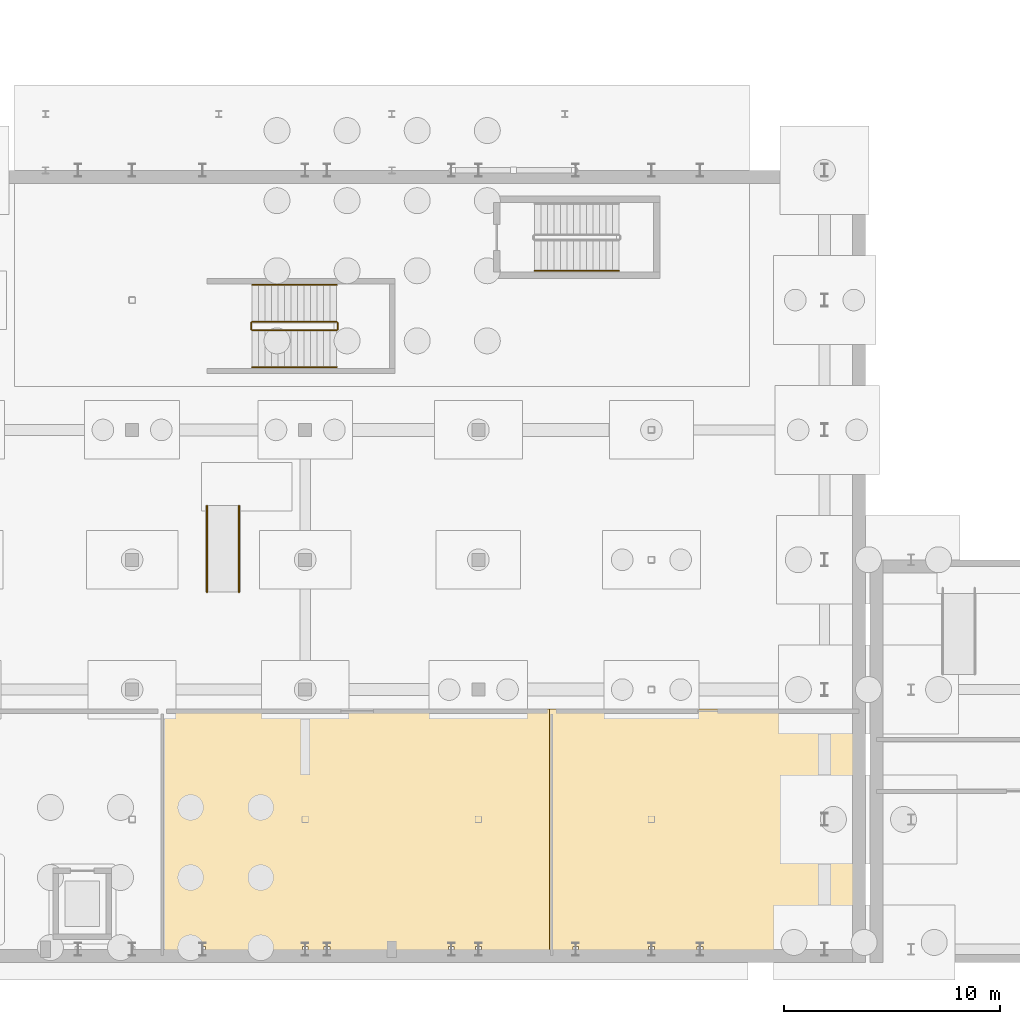
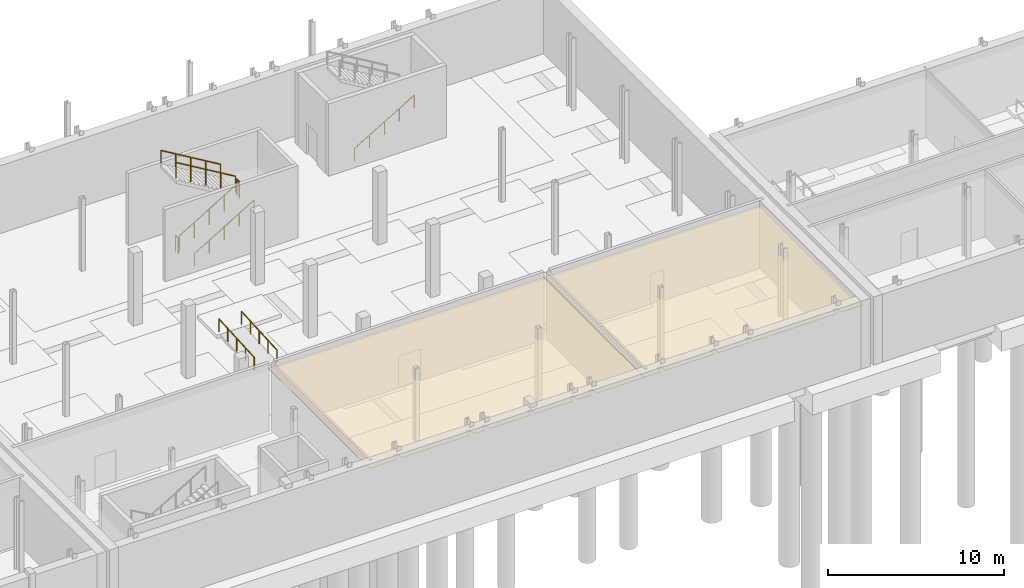
# One storey, part 38 of 47: 9 railings, 2 coverings.
"""IFC4 building model written with IfcOpenShell, lengths in metres."""

from ifc_helpers import new_model, si_unit, direction, frame, origin, origin_2d, place, context, subcontext, project, spatial, polyline, circle, outline, extrude, material, layer, layer_set, type_object, element, save


model = new_model("IFC4")

# Units and contexts
model_context = context("Model", 3, precision=1e-05, world=origin(), true_north=direction((0.0, 1.0)))
body_context = subcontext(model_context, "Body", "Model", "MODEL_VIEW")
ifc_project = project(units=[si_unit("LENGTHUNIT", "METRE"), si_unit("AREAUNIT", "SQUARE_METRE"), si_unit("VOLUMEUNIT", "CUBIC_METRE"), si_unit("PLANEANGLEUNIT", "RADIAN"), si_unit("MASSUNIT", "GRAM", prefix="KILO")], contexts=[model_context])

# Site, building, storey
site_placement = place(None, origin())
site = spatial("IfcSite", under=ifc_project, at=site_placement, CompositionType="ELEMENT")
building_placement = place(site_placement, origin())
building = spatial("IfcBuilding", under=site, at=building_placement, Name="Cymarion Research Institute", CompositionType="ELEMENT")
storey_placement = place(building_placement, frame((0.0, 0.0, -5.0)))
storey = spatial("IfcBuildingStorey", under=building, at=storey_placement, Name="B1", CompositionType="ELEMENT", Elevation=-5.0)

# Coverings
ifc_material_1 = material(Name="Micro-perforated mineral acoustic ceiling tile", Category="gypsum")
ifc_layer = layer(ifc_material_1, 0.030029296875)
ifc_layer_set = layer_set([ifc_layer], Name="Micro-perforated mineral acoustic ceiling tile")
covering_type = type_object("IfcCoveringType", Name="ACOUSTIC MICRO-PERFORATED SUSPENDED CEILING CLG-01", PredefinedType="CEILING", material=ifc_layer_set)
covering_1_placement = place(storey_placement, frame((0.0, 0.0, 4.14990234375)))
element("IfcCovering", 1, at=covering_1_placement, inside=storey, type_object=covering_type, Name="B1 B1 Geological Core & Specimen Cold Archive acoustic ceiling", PredefinedType="CEILING", context=body_context, shape_type="SweptSolid", body=[
    extrude(outline(polyline([(90.114990234375, 5.18505859375), (86.735107421875, 5.18505859375), (86.735107421875, 5.635009765625), (86.465087890625, 5.635009765625), (86.465087890625, 5.18505859375), (85.485107421875, 5.18505859375), (85.485107421875, 5.635009765625), (85.215087890625, 5.635009765625), (85.215087890625, 5.18505859375), (82.735107421875, 5.18505859375), (82.735107421875, 5.635009765625), (82.465087890625, 5.635009765625), (82.465087890625, 5.18505859375), (79.735107421875, 5.18505859375), (79.735107421875, 5.635009765625), (79.465087890625, 5.635009765625), (79.465087890625, 5.18505859375), (78.735107421875, 5.18505859375), (78.735107421875, 5.635009765625), (78.465087890625, 5.635009765625), (78.465087890625, 5.18505859375), (73.985107421875, 5.18505859375), (73.985107421875, 5.635009765625), (73.715087890625, 5.635009765625), (73.715087890625, 5.18505859375), (71.885009765625, 5.18505859375), (71.885009765625, 16.614990234375), (90.114990234375, 16.614990234375), (90.114990234375, 5.18505859375)])), origin(), (0.0, 0.0, 1.0), 0.030029296875),
])
covering_2_placement = place(storey_placement, frame((0.0, 0.0, 4.14990234375)))
element("IfcCovering", 2, at=covering_2_placement, inside=storey, type_object=covering_type, Name="B1 B1 Concourse Accessible WC and Public Washrooms acoustic ceiling", PredefinedType="CEILING", context=body_context, shape_type="SweptSolid", body=[
    extrude(outline(polyline([(102.735107421875, 5.635009765625), (102.465087890625, 5.635009765625), (102.465087890625, 5.18505859375), (96.985107421875, 5.18505859375), (96.985107421875, 5.635009765625), (96.715087890625, 5.635009765625), (96.715087890625, 5.18505859375), (94.735107421875, 5.18505859375), (94.735107421875, 5.635009765625), (94.465087890625, 5.635009765625), (94.465087890625, 5.18505859375), (91.235107421875, 5.18505859375), (91.235107421875, 5.635009765625), (90.965087890625, 5.635009765625), (90.965087890625, 5.18505859375), (89.885009765625, 5.18505859375), (89.885009765625, 16.614990234375), (104.215087890625, 16.614990234375), (104.215087890625, 5.18505859375), (102.735107421875, 5.18505859375), (102.735107421875, 5.635009765625)])), origin(), (0.0, 0.0, 1.0), 0.030029296875),
])

# Railings
ifc_material_2 = material(Name="Steel S355", Category="steel")
railing_type_1 = type_object("IfcRailingType", Name="PAINTED STEEL STAIR GUARDRAIL GR1 1100MM", PredefinedType="GUARDRAIL", material=ifc_material_2)
railing_1_placement = place(storey_placement, frame((76.14990234375, 34.10009765625, 0.178466796875)))
element("IfcRailing", 3, at=railing_1_placement, inside=storey, type_object=railing_type_1, Name="B1 ST11 stair guard 1", PredefinedType="GUARDRAIL", context=body_context, shape_type="SweptSolid", body=[
    extrude(circle(Radius=0.02392578125, at=origin_2d()), frame((0.0, 0.0, 1.076171875), z_axis=(0.859291195736, 0.0, 0.511486696729), x_axis=(0.0, 1.0, 0.0)), (0.0, 0.0, 1.0), 4.538818359375),
    extrude(circle(Radius=0.02099609375, at=origin_2d()), origin(), (0.0, 0.0, 1.0), 1.052001953125),
    extrude(circle(Radius=0.02099609375, at=origin_2d()), frame((0.97509765625, 0.0, 0.580322265625)), (0.0, 0.0, 1.0), 1.052001953125),
    extrude(circle(Radius=0.02099609375, at=origin_2d()), frame((1.9501953125, 0.0, 1.16064453125)), (0.0, 0.0, 1.0), 1.052001953125),
    extrude(circle(Radius=0.02099609375, at=origin_2d()), frame((2.925048828125, 0.0, 1.7412109375)), (0.0, 0.0, 1.0), 1.052001953125),
    extrude(circle(Radius=0.02099609375, at=origin_2d()), frame((3.900146484375, 0.0, 2.321533203125)), (0.0, 0.0, 1.0), 1.052001953125),
])
railing_2_placement = place(storey_placement, frame((80.10009765625, 34.14990234375, 2.5)))
element("IfcRailing", 4, at=railing_2_placement, inside=storey, type_object=railing_type_1, Name="B1 ST11 stair guard 2", PredefinedType="GUARDRAIL", context=body_context, shape_type="SweptSolid", body=[
    extrude(circle(Radius=0.02392578125, at=origin_2d()), frame((0.0, 0.0, 1.076171875), z_axis=(0.0, 1.0, 0.0), x_axis=(-1.0, 0.0, 0.0)), (0.0, 0.0, 1.0), 0.300048828125),
    extrude(circle(Radius=0.02099609375, at=origin_2d()), origin(), (0.0, 0.0, 1.0), 1.052001953125),
    extrude(circle(Radius=0.02099609375, at=origin_2d()), frame((0.0, 0.300048828125, 0.0)), (0.0, 0.0, 1.0), 1.052001953125),
])
railing_3_placement = place(storey_placement, frame((80.050048828125, 34.5, 2.678466796875)))
element("IfcRailing", 5, at=railing_3_placement, inside=storey, type_object=railing_type_1, Name="B1 ST11 stair guard 3", PredefinedType="GUARDRAIL", context=body_context, shape_type="SweptSolid", body=[
    extrude(circle(Radius=0.02392578125, at=origin_2d()), frame((0.0, 0.0, 1.076171875), z_axis=(-0.859291195736, 0.0, 0.511486696729), x_axis=(0.0, -1.0, 0.0)), (0.0, 0.0, 1.0), 4.538818359375),
    extrude(circle(Radius=0.02099609375, at=origin_2d()), origin(), (0.0, 0.0, 1.0), 1.052001953125),
    extrude(circle(Radius=0.02099609375, at=origin_2d()), frame((-0.97509765625, 0.0, 0.580322265625)), (0.0, 0.0, 1.0), 1.052001953125),
    extrude(circle(Radius=0.02099609375, at=origin_2d()), frame((-1.9501953125, 0.0, 1.16064453125)), (0.0, 0.0, 1.0), 1.052001953125),
    extrude(circle(Radius=0.02099609375, at=origin_2d()), frame((-2.925048828125, 0.0, 1.7412109375)), (0.0, 0.0, 1.0), 1.052001953125),
    extrude(circle(Radius=0.02099609375, at=origin_2d()), frame((-3.900146484375, 0.0, 2.321533203125)), (0.0, 0.0, 1.0), 1.052001953125),
])
railing_4_placement = place(storey_placement, frame((76.10009765625, 34.14990234375, 0.0)))
element("IfcRailing", 6, at=railing_4_placement, inside=storey, type_object=railing_type_1, Name="B1 ST11 stair guard 4", PredefinedType="GUARDRAIL", context=body_context, shape_type="SweptSolid", body=[
    extrude(circle(Radius=0.02392578125, at=origin_2d()), frame((0.0, 0.0, 1.076171875), z_axis=(0.0, 1.0, 0.0), x_axis=(-1.0, 0.0, 0.0)), (0.0, 0.0, 1.0), 0.300048828125),
    extrude(circle(Radius=0.02099609375, at=origin_2d()), origin(), (0.0, 0.0, 1.0), 1.052001953125),
    extrude(circle(Radius=0.02099609375, at=origin_2d()), frame((0.0, 0.300048828125, 0.0)), (0.0, 0.0, 1.0), 1.052001953125),
])
railing_type_2 = type_object("IfcRailingType", Name="STAINLESS STEEL RAMP HANDRAIL HR-RMP", PredefinedType="HANDRAIL", material=ifc_material_2)
for number, where, name in (
    (7, (74.06005859375, 22.0, 0.02001953125), "Ramp R3 stainless handrail 1"),
    (8, (75.5400390625, 22.0, 0.02001953125), "Ramp R3 stainless handrail 2"),
):
    element("IfcRailing", number, at=place(storey_placement, frame(where)), inside=storey, type_object=railing_type_2, Name=name, PredefinedType="HANDRAIL", context=body_context, shape_type="SweptSolid", body=[
        extrude(circle(Radius=0.02392578125, at=origin_2d()), frame((0.0, 0.0, 0.8759765625), z_axis=(0.0, 0.998351242335, 0.057400321672), x_axis=(-1.0, 0.0, 0.0)), (0.0, 0.0, 1.0), 4.006591796875),
        extrude(circle(Radius=0.02099609375, at=origin_2d()), origin(), (0.0, 0.0, 1.0), 0.851806640625),
        extrude(circle(Radius=0.02099609375, at=origin_2d()), frame((0.0, 1.0, 0.0576171875)), (0.0, 0.0, 1.0), 0.851806640625),
        extrude(circle(Radius=0.02099609375, at=origin_2d()), frame((0.0, 2.0, 0.114990234375)), (0.0, 0.0, 1.0), 0.851806640625),
        extrude(circle(Radius=0.02099609375, at=origin_2d()), frame((0.0, 3.0, 0.17236328125)), (0.0, 0.0, 1.0), 0.851806640625),
        extrude(circle(Radius=0.02099609375, at=origin_2d()), frame((0.0, 4.0, 0.22998046875)), (0.0, 0.0, 1.0), 0.851806640625),
    ])
railing_type_3 = type_object("IfcRailingType", Name="STAINLESS STEEL STAIR HANDRAIL HR1 900MM", PredefinedType="HANDRAIL", material=ifc_material_2)
for number, where, name in (
    (9, (89.199951171875, 36.85009765625, 0.178466796875), "B1 ST4 stair handrail 1"),
    (10, (76.14990234375, 32.39990234375, 0.178466796875), "B1 ST11 stair handrail 1"),
):
    element("IfcRailing", number, at=place(storey_placement, frame(where)), inside=storey, type_object=railing_type_3, Name=name, PredefinedType="HANDRAIL", context=body_context, shape_type="SweptSolid", body=[
        extrude(circle(Radius=0.02392578125, at=origin_2d()), frame((0.0, 0.0, 0.8759765625), z_axis=(0.859291195736, 0.0, 0.511486696729), x_axis=(0.0, 1.0, 0.0)), (0.0, 0.0, 1.0), 4.538818359375),
        extrude(circle(Radius=0.02099609375, at=origin_2d()), origin(), (0.0, 0.0, 1.0), 0.851806640625),
        extrude(circle(Radius=0.02099609375, at=origin_2d()), frame((0.97509765625, 0.0, 0.580322265625)), (0.0, 0.0, 1.0), 0.851806640625),
        extrude(circle(Radius=0.02099609375, at=origin_2d()), frame((1.9501953125, 0.0, 1.16064453125)), (0.0, 0.0, 1.0), 0.851806640625),
        extrude(circle(Radius=0.02099609375, at=origin_2d()), frame((2.925048828125, 0.0, 1.7412109375)), (0.0, 0.0, 1.0), 0.851806640625),
        extrude(circle(Radius=0.02099609375, at=origin_2d()), frame((3.900146484375, 0.0, 2.321533203125)), (0.0, 0.0, 1.0), 0.851806640625),
    ])
railing_5_placement = place(storey_placement, frame((80.050048828125, 36.199951171875, 2.678466796875)))
element("IfcRailing", 11, at=railing_5_placement, inside=storey, type_object=railing_type_3, Name="B1 ST11 stair handrail 2", PredefinedType="HANDRAIL", context=body_context, shape_type="SweptSolid", body=[
    extrude(circle(Radius=0.02392578125, at=origin_2d()), frame((0.0, 0.0, 0.8759765625), z_axis=(-0.859291195736, 0.0, 0.511486696729), x_axis=(0.0, -1.0, 0.0)), (0.0, 0.0, 1.0), 4.538818359375),
    extrude(circle(Radius=0.02099609375, at=origin_2d()), origin(), (0.0, 0.0, 1.0), 0.851806640625),
    extrude(circle(Radius=0.02099609375, at=origin_2d()), frame((-0.97509765625, 0.0, 0.580322265625)), (0.0, 0.0, 1.0), 0.851806640625),
    extrude(circle(Radius=0.02099609375, at=origin_2d()), frame((-1.9501953125, 0.0, 1.16064453125)), (0.0, 0.0, 1.0), 0.851806640625),
    extrude(circle(Radius=0.02099609375, at=origin_2d()), frame((-2.925048828125, 0.0, 1.7412109375)), (0.0, 0.0, 1.0), 0.851806640625),
    extrude(circle(Radius=0.02099609375, at=origin_2d()), frame((-3.900146484375, 0.0, 2.321533203125)), (0.0, 0.0, 1.0), 0.851806640625),
])

save(model, "model.ifc")
